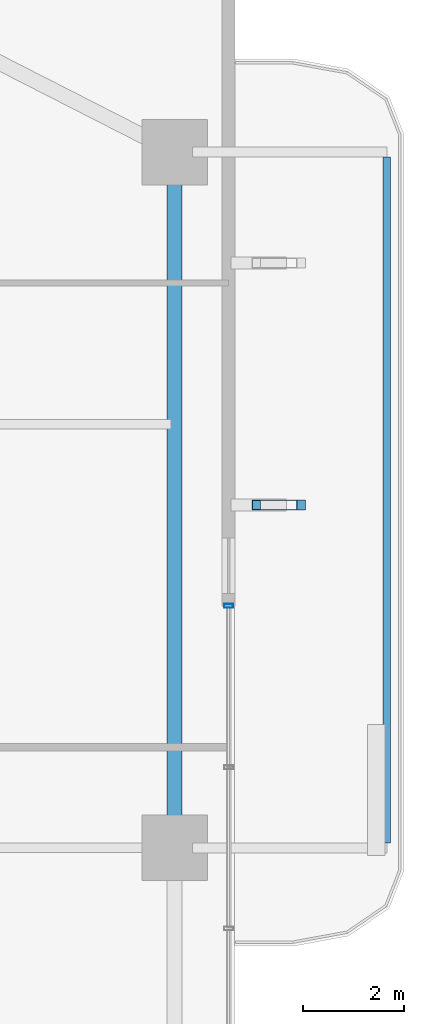
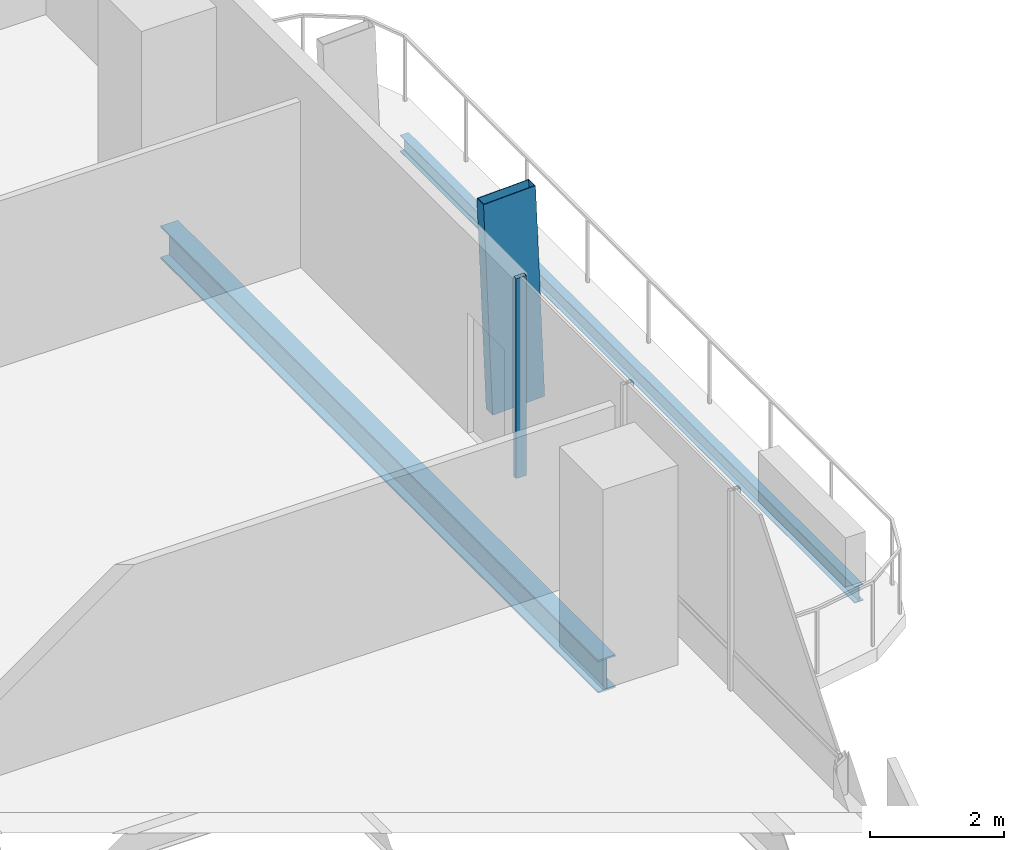
# One storey, part 13 of 24: 2 beams, 2 members, 1 element without a shape of its own.
"""IFC4 building model written with IfcOpenShell, lengths in metres."""

from ifc_helpers import new_model, si_unit, direction, frame, origin, origin_2d, place, context, subcontext, project, spatial, hollow_rectangle, i_section, extrude, material, layer, layer_set, material_profile, profile_set, type_object, element, aggregate, save


model = new_model("IFC4")

# Units and contexts
model_context = context("Model", 3, precision=1e-05, world=origin(), true_north=direction((0.0, 1.0)))
body_context = subcontext(model_context, "Body", "Model", "MODEL_VIEW")
ifc_project = project(units=[si_unit("LENGTHUNIT", "METRE"), si_unit("AREAUNIT", "SQUARE_METRE"), si_unit("VOLUMEUNIT", "CUBIC_METRE"), si_unit("PLANEANGLEUNIT", "RADIAN"), si_unit("MASSUNIT", "GRAM", prefix="KILO")], contexts=[model_context])

# Site, building, storey
site_placement = place(None, origin())
site = spatial("IfcSite", under=ifc_project, at=site_placement, CompositionType="ELEMENT")
building_placement = place(site_placement, origin())
building = spatial("IfcBuilding", under=site, at=building_placement, Name="Belovzor Exchange Tower", CompositionType="ELEMENT")
storey_placement = place(building_placement, frame((0.0, 0.0, 117.300048828125)))
storey = spatial("IfcBuildingStorey", under=building, at=storey_placement, Name="L28", CompositionType="ELEMENT", Elevation=117.300048828125)

# Beam
ifc_material_1 = material(Name="Steel S355", Category="steel")
ifc_material_profile_1 = material_profile(ifc_material_1, i_section(OverallWidth=0.14990234375, OverallDepth=0.300048828125, WebThickness=0.007080078125, FlangeThickness=0.0107421875, at=origin_2d()))
ifc_profile_set_1 = profile_set([ifc_material_profile_1], Name="Steel S355")
beam_type_1 = type_object("IfcBeamType", Name="Planted Balcony Fascia Edge Beam IPE 300", PredefinedType="BEAM", material=ifc_profile_set_1)
beam_1_placement = place(storey_placement, frame((57.907958984375, 28.89990234375, -0.400146484375), z_axis=(0.0, 1.0, 0.0), x_axis=(-1.0, 0.0, 0.0)))
element("IfcBeam", 1, at=beam_1_placement, inside=storey, type_object=beam_type_1, Name="BC-300 Planted Balcony Fascia Edge Beam IPE 300", PredefinedType="BEAM", context=body_context, shape_type="SweptSolid", body=[
    extrude(i_section(OverallWidth=0.14990234375, OverallDepth=0.300048828125, WebThickness=0.007080078125, FlangeThickness=0.0107421875, at=origin_2d()), origin(), (0.0, 0.0, 1.0), 13.60009765625),
])

# Member
ifc_material_2 = material(Name="Extruded Architectural Terracotta on Steel S355 Carrier", Category="masonry")
ifc_material_profile_2 = material_profile(ifc_material_2, hollow_rectangle(XDim=0.199951171875, YDim=0.89990234375, WallThickness=0.011962890625, at=origin_2d()))
ifc_profile_set_2 = profile_set([ifc_material_profile_2], Name="Extruded Architectural Terracotta on Steel S355 Carrier")
member_type_1 = type_object("IfcMemberType", Name="Sweeping Terracotta Baguette Fin Assembly 1250", PredefinedType="USERDEFINED", material=ifc_profile_set_2)
member_1_placement = place(storey_placement, frame((55.842041015625, 35.60009765625, -0.25), z_axis=(-0.040719923662, 0.0, 0.999170599956), x_axis=(0.0, -1.0, 0.0)))
element("IfcMember", 2, at=member_1_placement, inside=storey, type_object=member_type_1, Name="FIN-TC125 Terracotta Facade Fin L28 E3", ObjectType="FIN", PredefinedType="USERDEFINED", context=body_context, shape_type="SweptSolid", body=[
    extrude(hollow_rectangle(XDim=0.199951171875, YDim=0.89990234375, WallThickness=0.011962890625, at=origin_2d()), origin(), (0.0, 0.0, 1.0), 3.903076171875),
])

# Curtain wall, member
ifc_material_3 = material(Name="Anodised Aluminium Framing", Category="aluminium")
ifc_layer = layer(ifc_material_3, 0.179931640625)
ifc_layer_set = layer_set([ifc_layer], Name="Anodised Aluminium Framing")
curtain_wall_type = type_object("IfcCurtainWallType", Name="Recessed Loggia Low-Iron Triple-Glazed Curtain Wall", PredefinedType="NOTDEFINED", material=ifc_layer_set)
curtain_wall_placement = place(storey_placement, origin())
curtain_wall = element("IfcCurtainWall", 3, at=curtain_wall_placement, inside=storey, type_object=curtain_wall_type, Name="CW3 Recessed Loggia Low-Iron Triple-Glazed Curtain Wall L28", PredefinedType="NOTDEFINED")
ifc_material_4 = material(Name="Steel S355", Category="steel")
ifc_material_profile_3 = material_profile(ifc_material_4, hollow_rectangle(XDim=0.074951171875, YDim=0.179931640625, WallThickness=0.0048828125, at=origin_2d()))
ifc_profile_set_3 = profile_set([ifc_material_profile_3], Name="Steel S355")
member_type_2 = type_object("IfcMemberType", Name="Thermally Broken Curtain Wall Mullion 180x75", PredefinedType="MULLION", material=ifc_profile_set_3)
member_2_placement = place(storey_placement, frame((54.77001953125, 33.60009765625, 0.0), z_axis=(0.0, 0.0, 1.0), x_axis=(0.0, -1.0, 0.0)))
member_2 = element("IfcMember", 4, at=member_2_placement, type_object=member_type_2, Name="CW-M180 Curtain Wall Mullion 1", PredefinedType="MULLION", context=body_context, shape_type="SweptSolid", body=[
    extrude(hollow_rectangle(XDim=0.074951171875, YDim=0.179931640625, WallThickness=0.0048828125, at=origin_2d()), origin(), (0.0, 0.0, 1.0), 3.64990234375),
])
aggregate(curtain_wall, [member_2])

# Beam
ifc_material_5 = material(Name="Steel S355", Category="steel")
ifc_material_profile_4 = material_profile(ifc_material_5, i_section(OverallWidth=0.300048828125, OverallDepth=0.60009765625, WebThickness=0.015380859375, FlangeThickness=0.030029296875, at=origin_2d()))
ifc_profile_set_4 = profile_set([ifc_material_profile_4], Name="Steel S355")
beam_type_2 = type_object("IfcBeamType", Name="Zone 2 Primary Perimeter Girder HEB 600", PredefinedType="BEAM", material=ifc_profile_set_4)
beam_2_placement = place(storey_placement, frame((53.699951171875, 29.157958984375, -0.550048828125), z_axis=(0.0, 1.0, 0.0), x_axis=(-1.0, 0.0, 0.0)))
element("IfcBeam", 5, at=beam_2_placement, inside=storey, type_object=beam_type_2, Name="FG-Z2 Zone 2 Primary Perimeter Girder HEB 600", PredefinedType="BEAM", context=body_context, shape_type="SweptSolid", body=[
    extrude(i_section(OverallWidth=0.300048828125, OverallDepth=0.60009765625, WebThickness=0.015380859375, FlangeThickness=0.030029296875, at=origin_2d()), origin(), (0.0, 0.0, 1.0), 13.083984375),
])

save(model, "model.ifc")
